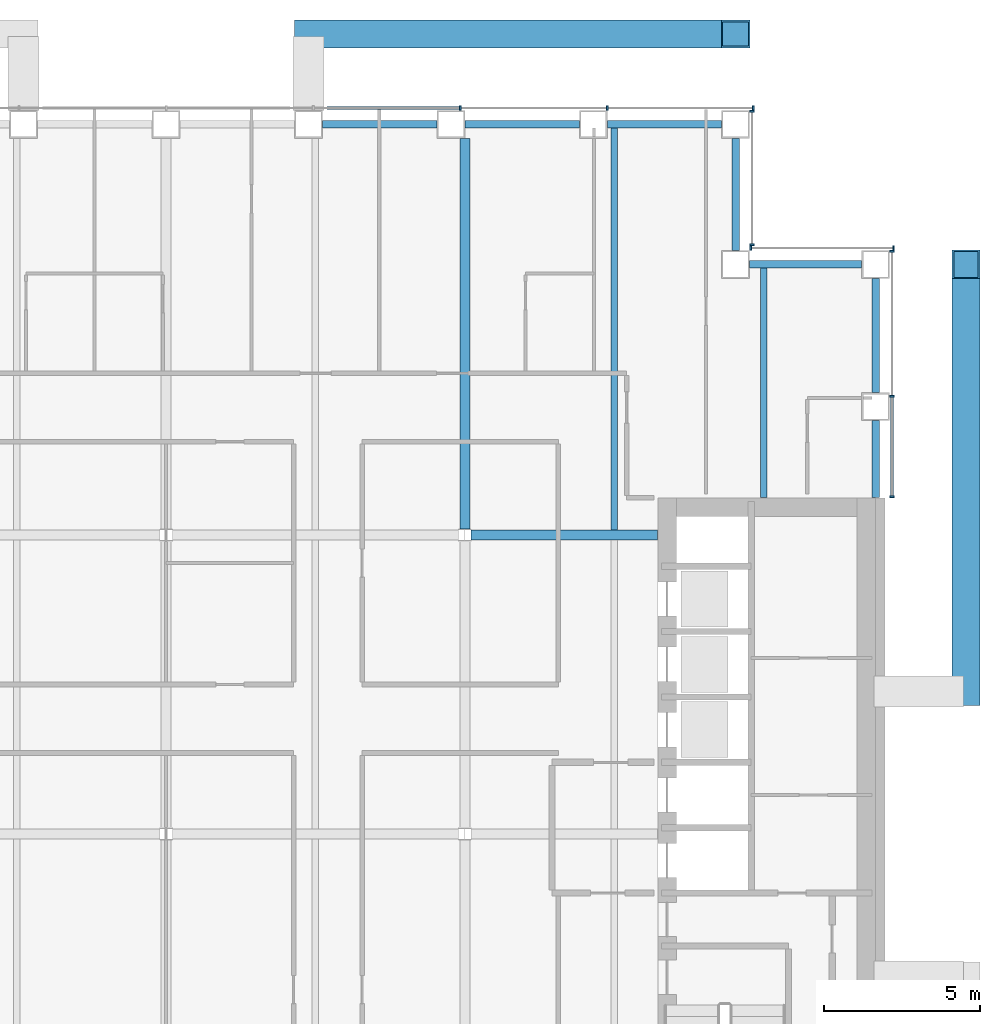
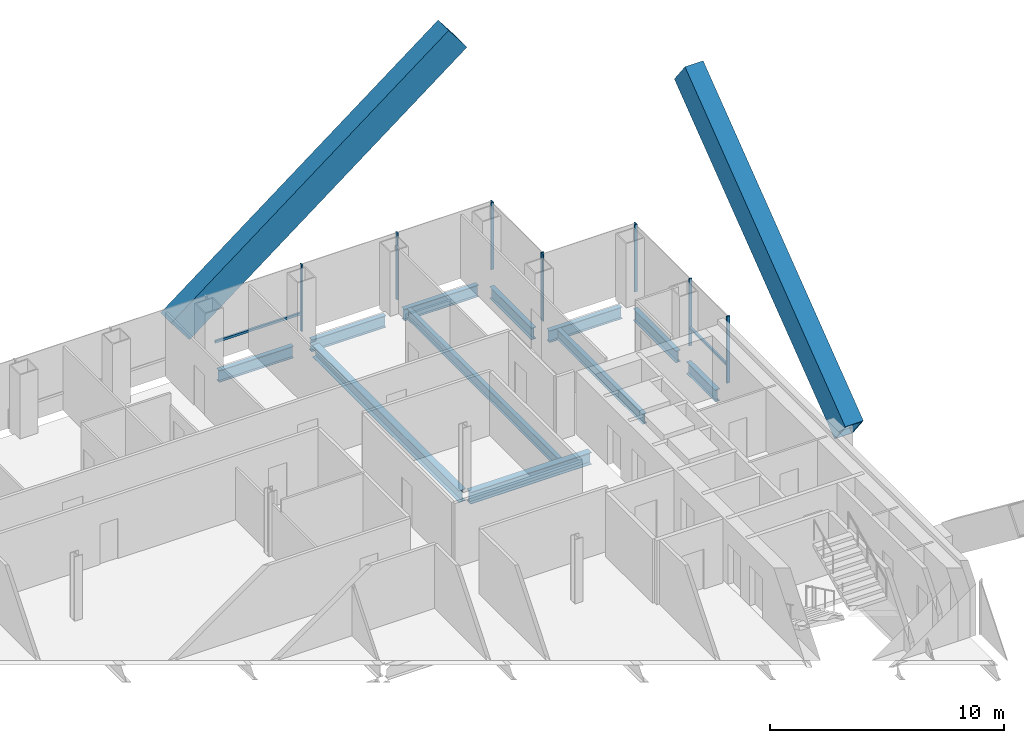
# One storey, part 9 of 17: 14 members, 11 beams, 4 elements without a shape of their own.
"""IFC4 building model written with IfcOpenShell, lengths in metres."""

from ifc_helpers import new_model, si_unit, direction, frame, origin, origin_2d, place, context, subcontext, project, spatial, rectangle, hollow_rectangle, i_section, extrude, material, material_profile, profile_set, type_object, element, aggregate, save


model = new_model("IFC4")

# Units and contexts
model_context = context("Model", 3, precision=1e-05, world=origin(), true_north=direction((0.0, 1.0)))
body_context = subcontext(model_context, "Body", "Model", "MODEL_VIEW")
ifc_project = project(units=[si_unit("LENGTHUNIT", "METRE"), si_unit("AREAUNIT", "SQUARE_METRE"), si_unit("VOLUMEUNIT", "CUBIC_METRE"), si_unit("PLANEANGLEUNIT", "RADIAN"), si_unit("MASSUNIT", "GRAM", prefix="KILO")], contexts=[model_context])

# Site, building, storey
site_placement = place(None, origin())
site = spatial("IfcSite", under=ifc_project, at=site_placement, CompositionType="ELEMENT")
building_placement = place(site_placement, origin())
building = spatial("IfcBuilding", under=site, at=building_placement, Name="Cobrizo Arcos Hotel Tower", CompositionType="ELEMENT")
storey_placement = place(building_placement, frame((0.0, 0.0, 106.5)))
storey = spatial("IfcBuildingStorey", under=building, at=storey_placement, Name="L26", CompositionType="ELEMENT", Elevation=106.5)

# Members
ifc_material_1 = material(Name="Steel ASTM A572 Grade 50", Category="steel")
ifc_material_profile_1 = material_profile(ifc_material_1, hollow_rectangle(XDim=0.89990234375, YDim=1.5, WallThickness=0.06494140625, at=origin_2d()), Name="BOX 900X1500X65")
ifc_profile_set_1 = profile_set([ifc_material_profile_1], Name="Steel ASTM A572 Grade 50")
member_type_1 = type_object("IfcMemberType", Name="BOX 900X1500X65 perimeter brace", PredefinedType="BRACE", material=ifc_profile_set_1)
for number, where, z_axis, x_axis, name in (
    (1, (4.574951171875, 25.699951171875, 0.5), (0.794236712941, 0.0, 0.607608462595), (0.0, 1.0, 0.0), "Perimeter brace PBR2, zone Z2, north face, no. 02"),
    (2, (25.699951171875, 4.574951171875, 0.5), (0.0, 0.794236712941, 0.607608462595), (-1.0, 0.0, 0.0), "Perimeter brace PBR2, zone Z2, east face, no. 03"),
):
    element("IfcMember", number, at=place(storey_placement, frame(where, z_axis=z_axis, x_axis=x_axis)), inside=storey, type_object=member_type_1, Name=name, PredefinedType="BRACE", context=body_context, shape_type="SweptSolid", body=[
        extrude(hollow_rectangle(XDim=0.89990234375, YDim=1.5, WallThickness=0.06494140625, at=origin_2d()), origin(), (0.0, 0.0, 1.0), 17.28076171875),
    ])

# Curtain wall, members
ifc_material_2 = material(Name="Aluminium 6063-T6 anodised bronze", Category="aluminium")
curtain_wall_type = type_object("IfcCurtainWallType", Name="CW-A guest facade", PredefinedType="NOTDEFINED", material=ifc_material_2)
curtain_wall_1_placement = place(storey_placement, origin())
curtain_wall_1 = element("IfcCurtainWall", 3, at=curtain_wall_1_placement, inside=storey, type_object=curtain_wall_type, Name="CW-A L26 E face", PredefinedType="NOTDEFINED")
ifc_material_profile_2 = material_profile(ifc_material_2, rectangle(XDim=0.14990234375, YDim=0.06005859375, at=origin_2d()), Name="CW-A mullion 150x60")
ifc_profile_set_2 = profile_set([ifc_material_profile_2], Name="Aluminium 6063-T6 anodised bronze")
member_type_2 = type_object("IfcMemberType", Name="CW-A mullion 150x60", PredefinedType="MULLION", material=ifc_profile_set_2)
member_1_placement = place(storey_placement, frame((23.324951171875, 10.830078125, 0.0), z_axis=(0.0, 0.0, 1.0), x_axis=(1.0, 0.0, 0.0)))
member_1 = element("IfcMember", 4, at=member_1_placement, type_object=member_type_2, Name="CW-A mullion 1", PredefinedType="MULLION", context=body_context, shape_type="SweptSolid", body=[
    extrude(rectangle(XDim=0.14990234375, YDim=0.06005859375, at=origin_2d()), origin(), (0.0, 0.0, 1.0), 3.5),
])
member_2_placement = place(storey_placement, frame((23.324951171875, 14.0625, 0.0), z_axis=(0.0, 0.0, 1.0), x_axis=(1.0, 0.0, 0.0)))
member_2 = element("IfcMember", 5, at=member_2_placement, type_object=member_type_2, Name="CW-A mullion 2", PredefinedType="MULLION", context=body_context, shape_type="SweptSolid", body=[
    extrude(rectangle(XDim=0.14990234375, YDim=0.06005859375, at=origin_2d()), origin(), (0.0, 0.0, 1.0), 3.5),
])
member_3_placement = place(storey_placement, frame((23.324951171875, 18.719970703125, 0.0), z_axis=(0.0, 0.0, 1.0), x_axis=(1.0, 0.0, 0.0)))
member_3 = element("IfcMember", 6, at=member_3_placement, type_object=member_type_2, Name="CW-A mullion 3", PredefinedType="MULLION", context=body_context, shape_type="SweptSolid", body=[
    extrude(rectangle(XDim=0.14990234375, YDim=0.06005859375, at=origin_2d()), origin(), (0.0, 0.0, 1.0), 3.5),
])

curtain_wall_2_placement = place(storey_placement, origin())
curtain_wall_2 = element("IfcCurtainWall", 7, at=curtain_wall_2_placement, inside=storey, type_object=curtain_wall_type, Name="CW-A L26 N face", PredefinedType="NOTDEFINED")
member_4_placement = place(storey_placement, frame((23.3701171875, 18.824951171875, 0.0), z_axis=(0.0, 0.0, 1.0), x_axis=(0.0, 1.0, 0.0)))
member_4 = element("IfcMember", 8, at=member_4_placement, type_object=member_type_2, Name="CW-A mullion 1", PredefinedType="MULLION", context=body_context, shape_type="SweptSolid", body=[
    extrude(rectangle(XDim=0.14990234375, YDim=0.06005859375, at=origin_2d()), origin(), (0.0, 0.0, 1.0), 3.5),
])
member_5_placement = place(storey_placement, frame((18.780029296875, 18.824951171875, 0.0), z_axis=(0.0, 0.0, 1.0), x_axis=(0.0, 1.0, 0.0)))
member_5 = element("IfcMember", 9, at=member_5_placement, type_object=member_type_2, Name="CW-A mullion 2", PredefinedType="MULLION", context=body_context, shape_type="SweptSolid", body=[
    extrude(rectangle(XDim=0.14990234375, YDim=0.06005859375, at=origin_2d()), origin(), (0.0, 0.0, 1.0), 3.5),
])
aggregate(curtain_wall_2, [member_4, member_5])

curtain_wall_3_placement = place(storey_placement, origin())
curtain_wall_3 = element("IfcCurtainWall", 10, at=curtain_wall_3_placement, inside=storey, type_object=curtain_wall_type, Name="CW-A L26 E face", PredefinedType="NOTDEFINED")
member_6_placement = place(storey_placement, frame((18.824951171875, 18.929931640625, 0.0), z_axis=(0.0, 0.0, 1.0), x_axis=(1.0, 0.0, 0.0)))
member_6 = element("IfcMember", 11, at=member_6_placement, type_object=member_type_2, Name="CW-A mullion 1", PredefinedType="MULLION", context=body_context, shape_type="SweptSolid", body=[
    extrude(rectangle(XDim=0.14990234375, YDim=0.06005859375, at=origin_2d()), origin(), (0.0, 0.0, 1.0), 3.5),
])
member_7_placement = place(storey_placement, frame((18.824951171875, 23.219970703125, 0.0), z_axis=(0.0, 0.0, 1.0), x_axis=(1.0, 0.0, 0.0)))
member_7 = element("IfcMember", 12, at=member_7_placement, type_object=member_type_2, Name="CW-A mullion 2", PredefinedType="MULLION", context=body_context, shape_type="SweptSolid", body=[
    extrude(rectangle(XDim=0.14990234375, YDim=0.06005859375, at=origin_2d()), origin(), (0.0, 0.0, 1.0), 3.5),
])
aggregate(curtain_wall_3, [member_6, member_7])

curtain_wall_4_placement = place(storey_placement, origin())
curtain_wall_4 = element("IfcCurtainWall", 13, at=curtain_wall_4_placement, inside=storey, type_object=curtain_wall_type, Name="CW-A L26 N face", PredefinedType="NOTDEFINED")
member_8_placement = place(storey_placement, frame((18.8701171875, 23.324951171875, 0.0), z_axis=(0.0, 0.0, 1.0), x_axis=(0.0, 1.0, 0.0)))
member_8 = element("IfcMember", 14, at=member_8_placement, type_object=member_type_2, Name="CW-A mullion 1", PredefinedType="MULLION", context=body_context, shape_type="SweptSolid", body=[
    extrude(rectangle(XDim=0.14990234375, YDim=0.06005859375, at=origin_2d()), origin(), (0.0, 0.0, 1.0), 3.5),
])
member_9_placement = place(storey_placement, frame((14.175048828125, 23.324951171875, 0.0), z_axis=(0.0, 0.0, 1.0), x_axis=(0.0, 1.0, 0.0)))
member_9 = element("IfcMember", 15, at=member_9_placement, type_object=member_type_2, Name="CW-A mullion 2", PredefinedType="MULLION", context=body_context, shape_type="SweptSolid", body=[
    extrude(rectangle(XDim=0.14990234375, YDim=0.06005859375, at=origin_2d()), origin(), (0.0, 0.0, 1.0), 3.5),
])
member_10_placement = place(storey_placement, frame((9.449951171875, 23.324951171875, 0.0), z_axis=(0.0, 0.0, 1.0), x_axis=(0.0, 1.0, 0.0)))
member_10 = element("IfcMember", 16, at=member_10_placement, type_object=member_type_2, Name="CW-A mullion 3", PredefinedType="MULLION", context=body_context, shape_type="SweptSolid", body=[
    extrude(rectangle(XDim=0.14990234375, YDim=0.06005859375, at=origin_2d()), origin(), (0.0, 0.0, 1.0), 3.5),
])

# Member
ifc_material_profile_3 = material_profile(ifc_material_2, rectangle(XDim=0.10009765625, YDim=0.1201171875, at=origin_2d()), Name="CW-A transom 120x100")
ifc_profile_set_3 = profile_set([ifc_material_profile_3], Name="Aluminium 6063-T6 anodised bronze")
member_type_3 = type_object("IfcMemberType", Name="CW-A transom 120x100", PredefinedType="USERDEFINED", material=ifc_profile_set_3)
member_11_placement = place(storey_placement, frame((23.324951171875, 10.860107421875, 0.929931640625), z_axis=(0.0, 1.0, 0.0), x_axis=(-1.0, 0.0, 0.0)))
member_11 = element("IfcMember", 17, at=member_11_placement, type_object=member_type_3, Name="CW-A transom 1023", ObjectType="TRANSOM", PredefinedType="USERDEFINED", context=body_context, shape_type="SweptSolid", body=[
    extrude(rectangle(XDim=0.10009765625, YDim=0.1201171875, at=origin_2d()), origin(), (0.0, 0.0, 1.0), 3.17236328125),
])

aggregate(curtain_wall_1, [member_1, member_2, member_3, member_11])

member_12_placement = place(storey_placement, frame((9.419921875, 23.324951171875, 0.929931640625), z_axis=(-1.0, 0.0, 0.0), x_axis=(0.0, -1.0, 0.0)))
member_12 = element("IfcMember", 18, at=member_12_placement, type_object=member_type_3, Name="CW-A transom 1029", ObjectType="TRANSOM", PredefinedType="USERDEFINED", context=body_context, shape_type="SweptSolid", body=[
    extrude(rectangle(XDim=0.10009765625, YDim=0.1201171875, at=origin_2d()), origin(), (0.0, 0.0, 1.0), 4.244873046875),
])

aggregate(curtain_wall_4, [member_8, member_9, member_10, member_12])

# Beams
ifc_material_3 = material(Name="Steel ASTM A992 Grade 50", Category="steel")
ifc_material_profile_4 = material_profile(ifc_material_3, i_section(OverallWidth=0.209228515625, OverallDepth=0.533447265625, WebThickness=0.01025390625, FlangeThickness=0.015625, at=origin_2d()), Name="W21X62")
ifc_profile_set_4 = profile_set([ifc_material_profile_4], Name="Steel ASTM A992 Grade 50")
beam_type_1 = type_object("IfcBeamType", Name="W21X62 joist", PredefinedType="JOIST", material=ifc_profile_set_4)
beam_1_placement = place(storey_placement, frame((14.39990234375, 9.763916015625, -0.416748046875), z_axis=(0.0, 1.0, 0.0), x_axis=(-1.0, 0.0, 0.0)))
element("IfcBeam", 19, at=beam_1_placement, inside=storey, type_object=beam_type_1, Name="Floor joist J1, L26, no. 018", PredefinedType="JOIST", context=body_context, shape_type="SweptSolid", body=[
    extrude(i_section(OverallWidth=0.209228515625, OverallDepth=0.533447265625, WebThickness=0.01025390625, FlangeThickness=0.015625, at=origin_2d()), origin(), (0.0, 0.0, 1.0), 12.946044921875),
])
beam_2_placement = place(storey_placement, frame((19.199951171875, 10.81005859375, -0.416748046875), z_axis=(0.0, 1.0, 0.0), x_axis=(-1.0, 0.0, 0.0)))
element("IfcBeam", 20, at=beam_2_placement, inside=storey, type_object=beam_type_1, Name="Floor joist J1, L26, no. 020", PredefinedType="JOIST", context=body_context, shape_type="SweptSolid", body=[
    extrude(i_section(OverallWidth=0.209228515625, OverallDepth=0.533447265625, WebThickness=0.01025390625, FlangeThickness=0.015625, at=origin_2d()), origin(), (0.0, 0.0, 1.0), 7.39990234375),
])
ifc_material_profile_5 = material_profile(ifc_material_3, i_section(OverallWidth=0.32763671875, OverallDepth=0.622314453125, WebThickness=0.015380859375, FlangeThickness=0.0244140625, at=origin_2d()), Name="W24X131")
ifc_profile_set_5 = profile_set([ifc_material_profile_5], Name="Steel ASTM A992 Grade 50")
beam_type_2 = type_object("IfcBeamType", Name="W24X131 girder", PredefinedType="BEAM", material=ifc_profile_set_5)
beam_3_placement = place(storey_placement, frame((9.79931640625, 9.60009765625, -0.461181640625), z_axis=(1.0, 0.0, 0.0), x_axis=(0.0, 1.0, 0.0)))
element("IfcBeam", 21, at=beam_3_placement, inside=storey, type_object=beam_type_2, Name="Floor girder G1, L26, no. 012", PredefinedType="BEAM", context=body_context, shape_type="SweptSolid", body=[
    extrude(i_section(OverallWidth=0.32763671875, OverallDepth=0.622314453125, WebThickness=0.015380859375, FlangeThickness=0.0244140625, at=origin_2d()), origin(), (0.0, 0.0, 1.0), 5.99072265625),
])
beam_4_placement = place(storey_placement, frame((9.60009765625, 9.79931640625, -0.461181640625), z_axis=(0.0, 1.0, 0.0), x_axis=(-1.0, 0.0, 0.0)))
element("IfcBeam", 22, at=beam_4_placement, inside=storey, type_object=beam_type_2, Name="Floor girder G1, L26, no. 024", PredefinedType="BEAM", context=body_context, shape_type="SweptSolid", body=[
    extrude(i_section(OverallWidth=0.32763671875, OverallDepth=0.622314453125, WebThickness=0.015380859375, FlangeThickness=0.0244140625, at=origin_2d()), origin(), (0.0, 0.0, 1.0), 12.55078125),
])
ifc_material_profile_6 = material_profile(ifc_material_3, i_section(OverallWidth=0.23046875, OverallDepth=0.6171875, WebThickness=0.01318359375, FlangeThickness=0.022216796875, at=origin_2d()), Name="W24X94")
ifc_profile_set_6 = profile_set([ifc_material_profile_6], Name="Steel ASTM A992 Grade 50")
beam_type_3 = type_object("IfcBeamType", Name="W24X94 spandrel", PredefinedType="SPANDREL", material=ifc_profile_set_6)
beam_5_placement = place(storey_placement, frame((22.800048828125, 10.81005859375, -0.45849609375), z_axis=(0.0, 1.0, 0.0), x_axis=(-1.0, 0.0, 0.0)))
element("IfcBeam", 23, at=beam_5_placement, inside=storey, type_object=beam_type_3, Name="Spandrel beam W24X94, L26, no. 013", PredefinedType="SPANDREL", context=body_context, shape_type="SweptSolid", body=[
    extrude(i_section(OverallWidth=0.23046875, OverallDepth=0.6171875, WebThickness=0.01318359375, FlangeThickness=0.022216796875, at=origin_2d()), origin(), (0.0, 0.0, 1.0), 2.46484375),
])
beam_6_placement = place(storey_placement, frame((22.800048828125, 14.175048828125, -0.45849609375), z_axis=(0.0, 1.0, 0.0), x_axis=(-1.0, 0.0, 0.0)))
element("IfcBeam", 24, at=beam_6_placement, inside=storey, type_object=beam_type_3, Name="Spandrel beam W24X94, L26, no. 014", PredefinedType="SPANDREL", context=body_context, shape_type="SweptSolid", body=[
    extrude(i_section(OverallWidth=0.23046875, OverallDepth=0.6171875, WebThickness=0.01318359375, FlangeThickness=0.022216796875, at=origin_2d()), origin(), (0.0, 0.0, 1.0), 3.675048828125),
])
for number, where, z_axis, x_axis, name in (
    (25, (22.35009765625, 18.300048828125, -0.45849609375), (-1.0, 0.0, 0.0), (0.0, -1.0, 0.0), "Spandrel beam W24X94, L26, no. 015"),
    (26, (18.300048828125, 18.75, -0.45849609375), (0.0, 1.0, 0.0), (-1.0, 0.0, 0.0), "Spandrel beam W24X94, L26, no. 016"),
):
    element("IfcBeam", number, at=place(storey_placement, frame(where, z_axis=z_axis, x_axis=x_axis)), inside=storey, type_object=beam_type_3, Name=name, PredefinedType="SPANDREL", context=body_context, shape_type="SweptSolid", body=[
        extrude(i_section(OverallWidth=0.23046875, OverallDepth=0.6171875, WebThickness=0.01318359375, FlangeThickness=0.022216796875, at=origin_2d()), origin(), (0.0, 0.0, 1.0), 3.60009765625),
    ])
beam_7_placement = place(storey_placement, frame((17.85009765625, 22.800048828125, -0.45849609375), z_axis=(-1.0, 0.0, 0.0), x_axis=(0.0, -1.0, 0.0)))
element("IfcBeam", 27, at=beam_7_placement, inside=storey, type_object=beam_type_3, Name="Spandrel beam W24X94, L26, no. 017", PredefinedType="SPANDREL", context=body_context, shape_type="SweptSolid", body=[
    extrude(i_section(OverallWidth=0.23046875, OverallDepth=0.6171875, WebThickness=0.01318359375, FlangeThickness=0.022216796875, at=origin_2d()), origin(), (0.0, 0.0, 1.0), 3.675048828125),
])
beam_8_placement = place(storey_placement, frame((13.27490234375, 22.800048828125, -0.45849609375), z_axis=(-1.0, 0.0, 0.0), x_axis=(0.0, -1.0, 0.0)))
element("IfcBeam", 28, at=beam_8_placement, inside=storey, type_object=beam_type_3, Name="Spandrel beam W24X94, L26, no. 018", PredefinedType="SPANDREL", context=body_context, shape_type="SweptSolid", body=[
    extrude(i_section(OverallWidth=0.23046875, OverallDepth=0.6171875, WebThickness=0.01318359375, FlangeThickness=0.022216796875, at=origin_2d()), origin(), (0.0, 0.0, 1.0), 3.6748046875),
])
beam_9_placement = place(storey_placement, frame((8.699951171875, 22.800048828125, -0.45849609375), z_axis=(-1.0, 0.0, 0.0), x_axis=(0.0, -1.0, 0.0)))
element("IfcBeam", 29, at=beam_9_placement, inside=storey, type_object=beam_type_3, Name="Spandrel beam W24X94, L26, no. 019", PredefinedType="SPANDREL", context=body_context, shape_type="SweptSolid", body=[
    extrude(i_section(OverallWidth=0.23046875, OverallDepth=0.6171875, WebThickness=0.01318359375, FlangeThickness=0.022216796875, at=origin_2d()), origin(), (0.0, 0.0, 1.0), 3.675048828125),
])

save(model, "model.ifc")
